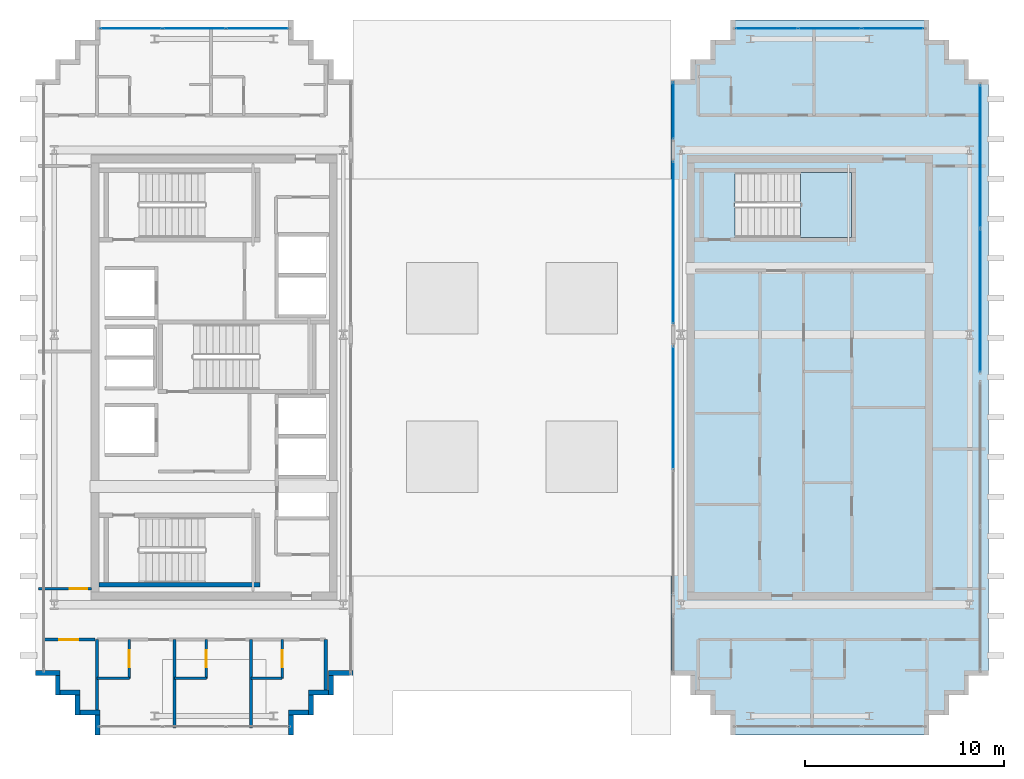
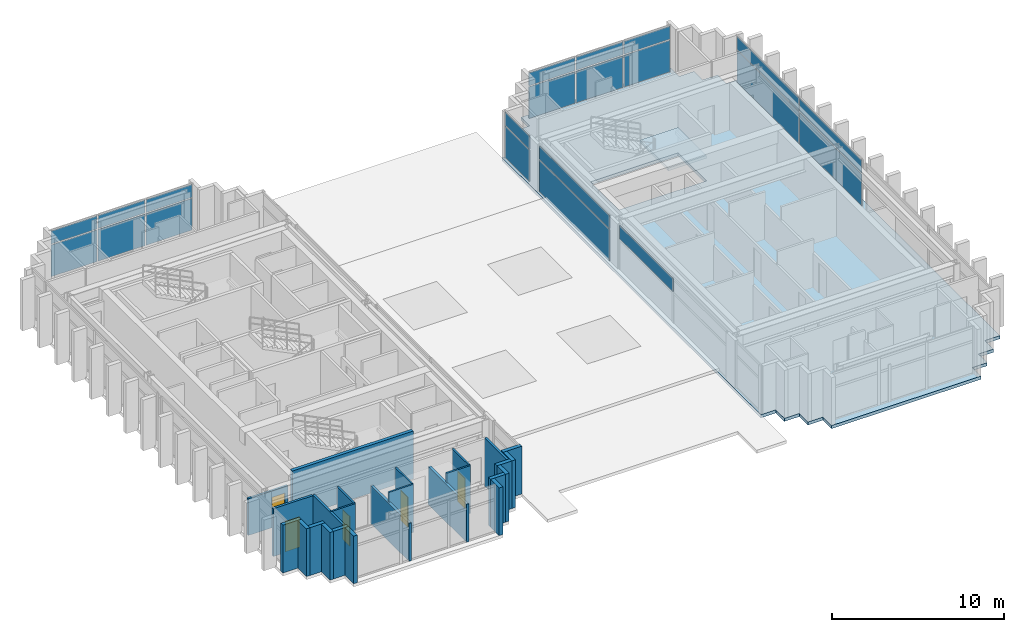
# One storey, part 19 of 25: 25 walls, 21 plates, 5 doors, 2 slabs, 5 openings, 7 elements without a shape of their own.
"""IFC4 building model written with IfcOpenShell, lengths in metres."""

import ifcopenshell
import ifcopenshell.guid

model = None  # the IFC model being written
_history = None  # IfcOwnerHistory: only IFC2X3 demands one
_inside = {}  # id of a spatial element -> (the spatial element, [elements in it])
_under = {}  # id of a project, library or spatial element -> (it, [spatial elements below it])
_declared = {}  # id of a project -> (the project, [libraries it declares])
_typed = {}  # id of a type object -> (the type object, [elements of that type])
_made_of = {}  # id of a material, layer set ... -> (it, [elements and type objects made of it])


def new_model(schema):
    """Start an empty IFC model of exactly this schema.

    Asked for "IFC4X3", IfcOpenShell would pick the latest addendum, in which some entities
    have other attributes; the version numbers below select the first issue.
    IFC2X3 requires an IfcOwnerHistory on every rooted entity: one is made here for all.
    """
    global model, _history
    if schema == "IFC4X3":
        model = ifcopenshell.file(schema_version=(4, 3, 0, 0))
    else:
        model = ifcopenshell.file(schema=schema)
    _inside.clear()
    _under.clear()
    _declared.clear()
    _typed.clear()
    _made_of.clear()
    _history = None
    if model.schema == "IFC2X3":
        org = make("IfcOrganization", Name="unknown")
        user = make(
            "IfcPersonAndOrganization",
            ThePerson=make("IfcPerson", FamilyName="unknown"),
            TheOrganization=org,
        )
        app = make(
            "IfcApplication",
            ApplicationDeveloper=org,
            Version="unknown",
            ApplicationFullName="unknown",
            ApplicationIdentifier="unknown",
        )
        _history = make(
            "IfcOwnerHistory",
            OwningUser=user,
            OwningApplication=app,
            ChangeAction="ADDED",
            CreationDate=0,
        )
    return model


def make(cls, **values):
    """One entity of the class cls with the attributes given. An attribute that is None is left unset."""
    return model.create_entity(
        cls, **{name: value for name, value in values.items() if value is not None}
    )


def rooted(cls, **values):
    """An entity with a GlobalId (a new one), such as an element, a storey or a relation."""
    return make(cls, GlobalId=ifcopenshell.guid.new(), OwnerHistory=_history, **values)


def si_unit(unit_type, name, prefix=None):
    """IfcSIUnit, for example si_unit("LENGTHUNIT", "METRE", prefix="MILLI")."""
    return make("IfcSIUnit", UnitType=unit_type, Prefix=prefix, Name=name)


def assignment(units):
    """IfcUnitAssignment: the units of a project."""
    return None if units is None else make("IfcUnitAssignment", Units=units)


def point(xyz):
    """IfcCartesianPoint."""
    return None if xyz is None else make("IfcCartesianPoint", Coordinates=xyz)


def direction(xyz):
    """IfcDirection."""
    return None if xyz is None else make("IfcDirection", DirectionRatios=xyz)


def frame(location, z_axis=None, x_axis=None):
    """IfcAxis2Placement3D, a coordinate frame: its origin and axes. An axis left out is left unset."""
    return make(
        "IfcAxis2Placement3D",
        Location=point(location),
        Axis=direction(z_axis),
        RefDirection=direction(x_axis),
    )


def frame_2d(location, x_axis=None):
    """IfcAxis2Placement2D, a coordinate frame in the plane: its origin and x axis."""
    return make(
        "IfcAxis2Placement2D", Location=point(location), RefDirection=direction(x_axis)
    )


def origin():
    """The frame at (0, 0, 0) with its axes left unset."""
    return frame((0.0, 0.0, 0.0))


def origin_2d():
    """The frame at (0, 0) in the plane with its x axis left unset."""
    return frame_2d((0.0, 0.0))


def place(relative_to, where):
    """IfcLocalPlacement: puts the frame where relative to a parent placement (None: the world)."""
    return make(
        "IfcLocalPlacement", PlacementRelTo=relative_to, RelativePlacement=where
    )


def context(
    kind, dimensions, precision=None, world=None, true_north=None, identifier=None
):
    """IfcGeometricRepresentationContext, for example the 3D "Model" context."""
    return make(
        "IfcGeometricRepresentationContext",
        ContextIdentifier=identifier,
        ContextType=kind,
        CoordinateSpaceDimension=dimensions,
        Precision=precision,
        WorldCoordinateSystem=world,
        TrueNorth=true_north,
    )


def subcontext(parent, identifier, kind, view, scale=None):
    """IfcGeometricRepresentationSubContext, for example "Body" below "Model"."""
    return make(
        "IfcGeometricRepresentationSubContext",
        ContextIdentifier=identifier,
        ContextType=kind,
        ParentContext=parent,
        TargetScale=scale,
        TargetView=view,
    )


def project(units=None, contexts=None):
    """IfcProject with its units and contexts."""
    return rooted(
        "IfcProject",
        Name="project",
        RepresentationContexts=contexts,
        UnitsInContext=assignment(units),
    )


def spatial(cls, under=None, at=None, **own):
    """A site, building, storey or space (cls), placed at a placement, below another one or the project."""
    s = rooted(cls, ObjectPlacement=at, **own)
    if under is not None:
        _under.setdefault(under.id(), (under, []))[1].append(s)
    return s


def polyline(points):
    """IfcPolyline through the points."""
    return make("IfcPolyline", Points=[point(p) for p in points])


def profile(cls, at=None, kind="AREA", **sizes):
    """A parametric profile (cls). Its sizes go by their IFC names, for example OverallWidth=200.0."""
    return make(cls, ProfileType=kind, Position=at, **sizes)


def rectangle(**sizes):
    """IfcRectangleProfileDef."""
    return profile("IfcRectangleProfileDef", **sizes)


def outline(outer, holes=None, kind="AREA"):
    """IfcArbitraryClosedProfileDef: a profile drawn as a closed curve; with holes, ...WithVoids."""
    if holes is None:
        return make("IfcArbitraryClosedProfileDef", ProfileType=kind, OuterCurve=outer)
    return make(
        "IfcArbitraryProfileDefWithVoids",
        ProfileType=kind,
        OuterCurve=outer,
        InnerCurves=holes,
    )


def extrude(swept, where, along, depth):
    """IfcExtrudedAreaSolid: the profile swept, set in the frame where, extruded along a direction by depth."""
    return make(
        "IfcExtrudedAreaSolid",
        SweptArea=swept,
        Position=where,
        ExtrudedDirection=direction(along),
        Depth=depth,
    )


def shape(context_of_items, identifier, shape_type, items):
    """IfcShapeRepresentation: the items that make up one representation, for example the "Body"."""
    return make(
        "IfcShapeRepresentation",
        ContextOfItems=context_of_items,
        RepresentationIdentifier=identifier,
        RepresentationType=shape_type,
        Items=items,
    )


def source(mapping_origin, context_of_items, identifier, shape_type, items):
    """IfcRepresentationMap: a shape defined once, which mapped items show again and again."""
    return make(
        "IfcRepresentationMap",
        MappingOrigin=mapping_origin,
        MappedRepresentation=shape(context_of_items, identifier, shape_type, items),
    )


def transform(
    local_origin,
    x_axis=None,
    y_axis=None,
    z_axis=None,
    scale=None,
    scale2=None,
    scale3=None,
    uniform=True,
):
    """IfcCartesianTransformationOperator3D, or its non-uniform kind. x_axis, y_axis, z_axis: its Axis1, 2, 3."""
    if uniform:
        return make(
            "IfcCartesianTransformationOperator3D",
            Axis1=direction(x_axis),
            Axis2=direction(y_axis),
            LocalOrigin=point(local_origin),
            Scale=scale,
            Axis3=direction(z_axis),
        )
    return make(
        "IfcCartesianTransformationOperator3DnonUniform",
        Axis1=direction(x_axis),
        Axis2=direction(y_axis),
        LocalOrigin=point(local_origin),
        Scale=scale,
        Axis3=direction(z_axis),
        Scale2=scale2,
        Scale3=scale3,
    )


def mapped(mapping_source, mapping_target):
    """IfcMappedItem: shows the shape of a source again, moved by a transform."""
    return make(
        "IfcMappedItem", MappingSource=mapping_source, MappingTarget=mapping_target
    )


def material(Name=None, Category=None):
    """IfcMaterial."""
    return make("IfcMaterial", Name=Name, Category=Category)


def layer(
    of_material, thickness, ventilated=None, Name=None, Category=None, Priority=None
):
    """IfcMaterialLayer: one layer of a wall or slab, of a material (None: an air gap)."""
    return make(
        "IfcMaterialLayer",
        Material=of_material,
        LayerThickness=thickness,
        IsVentilated=ventilated,
        Name=Name,
        Category=Category,
        Priority=Priority,
    )


def layer_set(layers, Name=None):
    """IfcMaterialLayerSet."""
    return make("IfcMaterialLayerSet", MaterialLayers=layers, LayerSetName=Name)


def made_of(thing, what):
    """Note that an element or type object is made of a material, layer set ...; save() writes the relation."""
    if what is not None:
        _made_of.setdefault(what.id(), (what, []))[1].append(thing)
    return thing


def type_object(cls, material=None, **own):
    """A type object (cls), such as IfcWallType, which elements share."""
    return made_of(rooted(cls, **own), material)


def element(
    cls,
    number,
    at=None,
    inside=None,
    cuts=None,
    type_object=None,
    material=None,
    context=None,
    identifier="Body",
    shape_type=None,
    held_by="IfcProductDefinitionShape",
    body=None,
    shapes=None,
    **own,
):
    """One element of the class cls, such as IfcWall. Its Tag is "e" and its number.

    at: its placement. inside: the storey or other place that contains it. cuts: it is an
    opening in that element (IfcRelVoidsElement). A single representation is given by context,
    identifier, shape_type and body (its items); several are given by shapes. held_by: the class
    of the entity that holds the representations. save() writes the other relations.
    """
    e = rooted(cls, Tag="e%d" % number, ObjectPlacement=at, **own)
    if body is not None:
        shapes = [shape(context, identifier, shape_type, body)]
    if shapes is not None:
        e.Representation = make(held_by, Representations=shapes)
    if inside is not None:
        _inside.setdefault(inside.id(), (inside, []))[1].append(e)
    if cuts is not None:
        rooted(
            "IfcRelVoidsElement", RelatingBuildingElement=cuts, RelatedOpeningElement=e
        )
    if type_object is not None:
        _typed.setdefault(type_object.id(), (type_object, []))[1].append(e)
    return made_of(e, material)


def fill(opening, filler):
    """IfcRelFillsElement: the door or window that sits in an opening."""
    return rooted(
        "IfcRelFillsElement",
        RelatingOpeningElement=opening,
        RelatedBuildingElement=filler,
    )


def aggregate(whole, parts):
    """IfcRelAggregates: a whole, such as a stair, and the parts it consists of."""
    return rooted("IfcRelAggregates", RelatingObject=whole, RelatedObjects=parts)


def save(model, path):
    """Write the relations noted so far, then the file.

    IfcRelAggregates (storeys below a building ...), IfcRelContainedInSpatialStructure (elements
    in a storey), IfcRelDefinesByType, IfcRelAssociatesMaterial and IfcRelDeclares: one each for
    every whole, place, type object, material and project.
    """
    for whole, parts in _under.values():
        aggregate(whole, parts)
    for where, things in _inside.values():
        rooted(
            "IfcRelContainedInSpatialStructure",
            RelatedElements=things,
            RelatingStructure=where,
        )
    for kind, things in _typed.values():
        rooted("IfcRelDefinesByType", RelatedObjects=things, RelatingType=kind)
    for what, things in _made_of.values():
        rooted("IfcRelAssociatesMaterial", RelatedObjects=things, RelatingMaterial=what)
    for by, libraries in _declared.values():
        rooted("IfcRelDeclares", RelatingContext=by, RelatedDefinitions=libraries)
    model.write(path)


model = new_model("IFC4")

# Units and contexts
model_context = context("Model", 3, precision=1e-05, world=origin(), true_north=direction((0.0, 1.0)))
body_context = subcontext(model_context, "Body", "Model", "MODEL_VIEW")
ifc_project = project(units=[si_unit("LENGTHUNIT", "METRE"), si_unit("AREAUNIT", "SQUARE_METRE"), si_unit("VOLUMEUNIT", "CUBIC_METRE"), si_unit("PLANEANGLEUNIT", "RADIAN"), si_unit("MASSUNIT", "GRAM", prefix="KILO")], contexts=[model_context])

# Site, building, storey
site_placement = place(None, origin())
site = spatial("IfcSite", under=ifc_project, at=site_placement, CompositionType="ELEMENT")
building_placement = place(site_placement, origin())
building = spatial("IfcBuilding", under=site, at=building_placement, Name="Ocotamira Hotel", CompositionType="ELEMENT")
storey_placement = place(building_placement, frame((0.0, 0.0, 250.800048828125)))
storey = spatial("IfcBuildingStorey", under=building, at=storey_placement, Name="L63", CompositionType="ELEMENT", Elevation=250.800048828125)

# Stair, slab
ifc_material_1 = material(Name="Concrete C40/50", Category="concrete")
stair_type = type_object("IfcStairType", Name="ST-CORE-1560", PredefinedType="HALF_TURN_STAIR", material=ifc_material_1)
stair_placement = place(storey_placement, origin())
stair = element("IfcStair", 1, at=stair_placement, inside=storey, type_object=stair_type, Name="L63 Exit Stair ST-4", PredefinedType="HALF_TURN_STAIR")
ifc_layer_1 = layer(ifc_material_1, 0.199951171875)
ifc_layer_set_1 = layer_set([ifc_layer_1], Name="Concrete C40/50")
slab_type_1 = type_object("IfcSlabType", Name="SLB-LAND-200", PredefinedType="LANDING", material=ifc_layer_set_1)
slab_1_placement = place(storey_placement, frame((0.0, 0.0, 1.599853515625)))
slab_1 = element("IfcSlab", 2, at=slab_1_placement, type_object=slab_type_1, Name="ST-4 landing 1", PredefinedType="LANDING", context=body_context, shape_type="SweptSolid", body=[
    extrude(outline(polyline([(46.530029296875, 33.050048828125), (49.090087890625, 33.050048828125), (49.090087890625, 36.330078125), (46.530029296875, 36.330078125), (46.530029296875, 33.050048828125)])), origin(), (0.0, 0.0, 1.0), 0.2001953125),
])
aggregate(stair, [slab_1])

# Slab
ifc_layer_2 = layer(ifc_material_1, 0.219970703125)
ifc_layer_set_2 = layer_set([ifc_layer_2], Name="Concrete C40/50")
slab_type_2 = type_object("IfcSlabType", Name="SLB-UPP-220", PredefinedType="FLOOR", material=ifc_layer_set_2)
slab_2_placement = place(storey_placement, frame((0.0, 0.0, -0.219970703125)))
element("IfcSlab", 3, at=slab_2_placement, inside=storey, type_object=slab_type_2, Name="L63 Structural Floor Slab-P2", PredefinedType="FLOOR", context=body_context, shape_type="SweptSolid", body=[
    extrude(outline(polyline([(43.0, 8.0), (53.0, 8.0), (53.0, 9.0), (54.0, 9.0), (54.0, 10.0), (55.0, 10.0), (55.0, 11.0), (56.0, 11.0), (56.0, 41.0), (55.0, 41.0), (55.0, 42.0), (54.0, 42.0), (54.0, 43.0), (53.0, 43.0), (53.0, 44.0), (43.0, 44.0), (43.0, 43.0), (42.0, 43.0), (42.0, 42.0), (41.0, 42.0), (41.0, 41.0), (40.0, 41.0), (40.0, 11.0), (41.0, 11.0), (41.0, 10.0), (42.0, 10.0), (42.0, 9.0), (43.0, 9.0), (43.0, 8.0)]), holes=[polyline([(43.22998046875, 33.050048828125), (49.090087890625, 33.050048828125), (49.090087890625, 36.330078125), (43.22998046875, 36.330078125), (43.22998046875, 33.050048828125)])]), origin(), (0.0, 0.0, 1.0), 0.219970703125),
])

# Curtain wall, plates
ifc_material_2 = material(Name="Anodised pale-metal aluminium and solar glass", Category="aluminium")
ifc_layer_3 = layer(ifc_material_2, 0.2099609375)
ifc_layer_set_3 = layer_set([ifc_layer_3], Name="Anodised pale-metal aluminium and solar glass")
curtain_wall_type = type_object("IfcCurtainWallType", Name="CW-SYS7-PEAK", PredefinedType="NOTDEFINED", material=ifc_layer_set_3)
curtain_wall_1_placement = place(storey_placement, origin())
curtain_wall_1 = element("IfcCurtainWall", 4, at=curtain_wall_1_placement, inside=storey, type_object=curtain_wall_type, Name="L63 Curtain Wall CW-7 CW-L63-WN", PredefinedType="NOTDEFINED")
ifc_material_3 = material(Name="Double-silver low-E insulated solar glass", Category="glass")
ifc_layer_4 = layer(ifc_material_3, 0.031982421875)
ifc_layer_set_4 = layer_set([ifc_layer_4], Name="Double-silver low-E insulated solar glass")
plate_type = type_object("IfcPlateType", Name="CWP-VISION-32", PredefinedType="CURTAIN_PANEL", material=ifc_layer_set_4)
shared_shape_1 = source(origin(), body_context, "Body", "SweptSolid", [
    extrude(rectangle(XDim=3.080078125, YDim=0.031982421875, at=origin_2d()), origin(), (0.0, 0.0, 1.0), 2.237548828125),
])
plate_1_placement = place(storey_placement, frame((12.820068359375, 43.580078125, 0.07470703125), z_axis=(0.0, 0.0, 1.0), x_axis=(1.0, 0.0, 0.0)))
plate_1 = element("IfcPlate", 5, at=plate_1_placement, type_object=plate_type, Name="CW-7 panel 1.1", PredefinedType="CURTAIN_PANEL", context=body_context, shape_type="MappedRepresentation", body=[
    mapped(shared_shape_1, transform((0.0, 0.0, 0.0), scale=1.0)),
])
plate_2_placement = place(storey_placement, frame((19.179931640625, 43.580078125, 0.07470703125), z_axis=(0.0, 0.0, 1.0), x_axis=(1.0, 0.0, 0.0)))
plate_2 = element("IfcPlate", 6, at=plate_2_placement, type_object=plate_type, Name="CW-7 panel 3.1", PredefinedType="CURTAIN_PANEL", context=body_context, shape_type="MappedRepresentation", body=[
    mapped(shared_shape_1, transform((0.0, 0.0, 0.0), scale=1.0)),
])

curtain_wall_2_placement = place(storey_placement, origin())
curtain_wall_2 = element("IfcCurtainWall", 7, at=curtain_wall_2_placement, inside=storey, type_object=curtain_wall_type, Name="L63 Curtain Wall CW-7 CW-L63-EN", PredefinedType="NOTDEFINED")
plate_3_placement = place(storey_placement, frame((44.820068359375, 43.580078125, 0.07470703125), z_axis=(0.0, 0.0, 1.0), x_axis=(1.0, 0.0, 0.0)))
plate_3 = element("IfcPlate", 8, at=plate_3_placement, type_object=plate_type, Name="CW-7 panel 1.1", PredefinedType="CURTAIN_PANEL", context=body_context, shape_type="MappedRepresentation", body=[
    mapped(shared_shape_1, transform((0.0, 0.0, 0.0), scale=1.0)),
])
plate_4_placement = place(storey_placement, frame((51.179931640625, 43.580078125, 0.07470703125), z_axis=(0.0, 0.0, 1.0), x_axis=(1.0, 0.0, 0.0)))
plate_4 = element("IfcPlate", 9, at=plate_4_placement, type_object=plate_type, Name="CW-7 panel 3.1", PredefinedType="CURTAIN_PANEL", context=body_context, shape_type="MappedRepresentation", body=[
    mapped(shared_shape_1, transform((0.0, 0.0, 0.0), scale=1.0)),
])

# Plate
shared_shape_2 = source(origin(), body_context, "Body", "SweptSolid", [
    extrude(rectangle(XDim=3.080078125, YDim=0.031982421875, at=origin_2d()), origin(), (0.0, 0.0, 1.0), 0.91748046875),
])
plate_5_placement = place(storey_placement, frame((12.820068359375, 43.580078125, 2.387451171875), z_axis=(0.0, 0.0, 1.0), x_axis=(1.0, 0.0, 0.0)))
plate_5 = element("IfcPlate", 10, at=plate_5_placement, type_object=plate_type, Name="CW-7 panel 1.2", PredefinedType="CURTAIN_PANEL", context=body_context, shape_type="MappedRepresentation", body=[
    mapped(shared_shape_2, transform((0.0, 0.0, 0.0), scale=1.0)),
])

plate_6_placement = place(storey_placement, frame((19.179931640625, 43.580078125, 2.387451171875), z_axis=(0.0, 0.0, 1.0), x_axis=(1.0, 0.0, 0.0)))
plate_6 = element("IfcPlate", 11, at=plate_6_placement, type_object=plate_type, Name="CW-7 panel 3.2", PredefinedType="CURTAIN_PANEL", context=body_context, shape_type="MappedRepresentation", body=[
    mapped(shared_shape_2, transform((0.0, 0.0, 0.0), scale=1.0)),
])

plate_7_placement = place(storey_placement, frame((44.820068359375, 43.580078125, 2.387451171875), z_axis=(0.0, 0.0, 1.0), x_axis=(1.0, 0.0, 0.0)))
plate_7 = element("IfcPlate", 12, at=plate_7_placement, type_object=plate_type, Name="CW-7 panel 1.2", PredefinedType="CURTAIN_PANEL", context=body_context, shape_type="MappedRepresentation", body=[
    mapped(shared_shape_2, transform((0.0, 0.0, 0.0), scale=1.0)),
])

plate_8_placement = place(storey_placement, frame((51.179931640625, 43.580078125, 2.387451171875), z_axis=(0.0, 0.0, 1.0), x_axis=(1.0, 0.0, 0.0)))
plate_8 = element("IfcPlate", 13, at=plate_8_placement, type_object=plate_type, Name="CW-7 panel 3.2", PredefinedType="CURTAIN_PANEL", context=body_context, shape_type="MappedRepresentation", body=[
    mapped(shared_shape_2, transform((0.0, 0.0, 0.0), scale=1.0)),
])

shared_shape_3 = source(origin(), body_context, "Body", "SweptSolid", [
    extrude(rectangle(XDim=3.1201171875, YDim=0.031982421875, at=origin_2d()), origin(), (0.0, 0.0, 1.0), 2.237548828125),
])
plate_9_placement = place(storey_placement, frame((16.0, 43.580078125, 0.07470703125), z_axis=(0.0, 0.0, 1.0), x_axis=(1.0, 0.0, 0.0)))
plate_9 = element("IfcPlate", 14, at=plate_9_placement, type_object=plate_type, Name="CW-7 panel 2.1", PredefinedType="CURTAIN_PANEL", context=body_context, shape_type="MappedRepresentation", body=[
    mapped(shared_shape_3, transform((0.0, 0.0, 0.0), scale=1.0)),
])

plate_10_placement = place(storey_placement, frame((48.0, 43.580078125, 0.07470703125), z_axis=(0.0, 0.0, 1.0), x_axis=(1.0, 0.0, 0.0)))
plate_10 = element("IfcPlate", 15, at=plate_10_placement, type_object=plate_type, Name="CW-7 panel 2.1", PredefinedType="CURTAIN_PANEL", context=body_context, shape_type="MappedRepresentation", body=[
    mapped(shared_shape_3, transform((0.0, 0.0, 0.0), scale=1.0)),
])

shared_shape_4 = source(origin(), body_context, "Body", "SweptSolid", [
    extrude(rectangle(XDim=3.1201171875, YDim=0.031982421875, at=origin_2d()), origin(), (0.0, 0.0, 1.0), 0.91748046875),
])
plate_11_placement = place(storey_placement, frame((16.0, 43.580078125, 2.387451171875), z_axis=(0.0, 0.0, 1.0), x_axis=(1.0, 0.0, 0.0)))
plate_11 = element("IfcPlate", 16, at=plate_11_placement, type_object=plate_type, Name="CW-7 panel 2.2", PredefinedType="CURTAIN_PANEL", context=body_context, shape_type="MappedRepresentation", body=[
    mapped(shared_shape_4, transform((0.0, 0.0, 0.0), scale=1.0)),
])

aggregate(curtain_wall_1, [plate_1, plate_5, plate_9, plate_11, plate_2, plate_6])

plate_12_placement = place(storey_placement, frame((48.0, 43.580078125, 2.387451171875), z_axis=(0.0, 0.0, 1.0), x_axis=(1.0, 0.0, 0.0)))
plate_12 = element("IfcPlate", 17, at=plate_12_placement, type_object=plate_type, Name="CW-7 panel 2.2", PredefinedType="CURTAIN_PANEL", context=body_context, shape_type="MappedRepresentation", body=[
    mapped(shared_shape_4, transform((0.0, 0.0, 0.0), scale=1.0)),
])

aggregate(curtain_wall_2, [plate_3, plate_7, plate_10, plate_12, plate_4, plate_8])

# Curtain wall, plates
curtain_wall_3_placement = place(storey_placement, origin())
curtain_wall_3 = element("IfcCurtainWall", 18, at=curtain_wall_3_placement, inside=storey, type_object=curtain_wall_type, Name="L63 Curtain Wall CW-7 CW-L63-EO2", PredefinedType="NOTDEFINED")
shared_shape_5 = source(origin(), body_context, "Body", "SweptSolid", [
    extrude(rectangle(XDim=7.179931640625, YDim=0.031982421875, at=origin_2d()), origin(), (0.0, 0.0, 1.0), 2.237548828125),
])
plate_13_placement = place(storey_placement, frame((55.580078125, 29.8701171875, 0.07470703125), z_axis=(0.0, 0.0, 1.0), x_axis=(0.0, 1.0, 0.0)))
plate_13 = element("IfcPlate", 19, at=plate_13_placement, type_object=plate_type, Name="CW-7 panel 1.1", PredefinedType="CURTAIN_PANEL", context=body_context, shape_type="MappedRepresentation", body=[
    mapped(shared_shape_5, transform((0.0, 0.0, 0.0), scale=1.0)),
])
plate_14_placement = place(storey_placement, frame((55.580078125, 37.1298828125, 0.07470703125), z_axis=(0.0, 0.0, 1.0), x_axis=(0.0, 1.0, 0.0)))
plate_14 = element("IfcPlate", 20, at=plate_14_placement, type_object=plate_type, Name="CW-7 panel 2.1", PredefinedType="CURTAIN_PANEL", context=body_context, shape_type="MappedRepresentation", body=[
    mapped(shared_shape_5, transform((0.0, 0.0, 0.0), scale=1.0)),
])
shared_shape_6 = source(origin(), body_context, "Body", "SweptSolid", [
    extrude(rectangle(XDim=7.179931640625, YDim=0.031982421875, at=origin_2d()), origin(), (0.0, 0.0, 1.0), 0.91748046875),
])
plate_15_placement = place(storey_placement, frame((55.580078125, 29.8701171875, 2.387451171875), z_axis=(0.0, 0.0, 1.0), x_axis=(0.0, 1.0, 0.0)))
plate_15 = element("IfcPlate", 21, at=plate_15_placement, type_object=plate_type, Name="CW-7 panel 1.2", PredefinedType="CURTAIN_PANEL", context=body_context, shape_type="MappedRepresentation", body=[
    mapped(shared_shape_6, transform((0.0, 0.0, 0.0), scale=1.0)),
])
plate_16_placement = place(storey_placement, frame((55.580078125, 37.1298828125, 2.387451171875), z_axis=(0.0, 0.0, 1.0), x_axis=(0.0, 1.0, 0.0)))
plate_16 = element("IfcPlate", 22, at=plate_16_placement, type_object=plate_type, Name="CW-7 panel 2.2", PredefinedType="CURTAIN_PANEL", context=body_context, shape_type="MappedRepresentation", body=[
    mapped(shared_shape_6, transform((0.0, 0.0, 0.0), scale=1.0)),
])
aggregate(curtain_wall_3, [plate_13, plate_15, plate_14, plate_16])

curtain_wall_4_placement = place(storey_placement, origin())
curtain_wall_4 = element("IfcCurtainWall", 23, at=curtain_wall_4_placement, inside=storey, type_object=curtain_wall_type, Name="L63 Curtain Wall CW-7 CW-L63-EI4", PredefinedType="NOTDEFINED")
shared_shape_7 = source(origin(), body_context, "Body", "SweptSolid", [
    extrude(rectangle(XDim=2.840087890625, YDim=0.031982421875, at=origin_2d()), origin(), (0.0, 0.0, 1.0), 2.237548828125),
])
plate_17_placement = place(storey_placement, frame((40.1201171875, 39.449951171875, 0.07470703125), z_axis=(0.0, 0.0, 1.0), x_axis=(0.0, 1.0, 0.0)))
plate_17 = element("IfcPlate", 24, at=plate_17_placement, type_object=plate_type, Name="CW-7 panel 1.1", PredefinedType="CURTAIN_PANEL", context=body_context, shape_type="MappedRepresentation", body=[
    mapped(shared_shape_7, transform((0.0, 0.0, 0.0), scale=1.0)),
])
shared_shape_8 = source(origin(), body_context, "Body", "SweptSolid", [
    extrude(rectangle(XDim=2.840087890625, YDim=0.031982421875, at=origin_2d()), origin(), (0.0, 0.0, 1.0), 0.91748046875),
])
plate_18_placement = place(storey_placement, frame((40.1201171875, 39.449951171875, 2.387451171875), z_axis=(0.0, 0.0, 1.0), x_axis=(0.0, 1.0, 0.0)))
plate_18 = element("IfcPlate", 25, at=plate_18_placement, type_object=plate_type, Name="CW-7 panel 1.2", PredefinedType="CURTAIN_PANEL", context=body_context, shape_type="MappedRepresentation", body=[
    mapped(shared_shape_8, transform((0.0, 0.0, 0.0), scale=1.0)),
])
aggregate(curtain_wall_4, [plate_17, plate_18])

# Curtain wall, plate
curtain_wall_5_placement = place(storey_placement, origin())
curtain_wall_5 = element("IfcCurtainWall", 26, at=curtain_wall_5_placement, inside=storey, type_object=curtain_wall_type, Name="L63 Curtain Wall CW-7 CW-L63-EI2", PredefinedType="NOTDEFINED")
shared_shape_9 = source(origin(), body_context, "Body", "SweptSolid", [
    extrude(rectangle(XDim=6.179931640625, YDim=0.031982421875, at=origin_2d()), origin(), (0.0, 0.0, 1.0), 0.91748046875),
])
plate_19_placement = place(storey_placement, frame((40.1201171875, 24.47998046875, 2.387451171875), z_axis=(0.0, 0.0, 1.0), x_axis=(0.0, 1.0, 0.0)))
plate_19 = element("IfcPlate", 27, at=plate_19_placement, type_object=plate_type, Name="CW-7 panel 2.2", PredefinedType="CURTAIN_PANEL", context=body_context, shape_type="MappedRepresentation", body=[
    mapped(shared_shape_9, transform((0.0, 0.0, 0.0), scale=1.0)),
])
aggregate(curtain_wall_5, [plate_19])

# Curtain wall, plates
curtain_wall_6_placement = place(storey_placement, origin())
curtain_wall_6 = element("IfcCurtainWall", 28, at=curtain_wall_6_placement, inside=storey, type_object=curtain_wall_type, Name="L63 Curtain Wall CW-7 CW-L63-EI3", PredefinedType="NOTDEFINED")
shared_shape_10 = source(origin(), body_context, "Body", "SweptSolid", [
    extrude(rectangle(XDim=8.139892578125, YDim=0.031982421875, at=origin_2d()), origin(), (0.0, 0.0, 1.0), 2.237548828125),
])
plate_20_placement = place(storey_placement, frame((40.1201171875, 32.800048828125, 0.07470703125), z_axis=(0.0, 0.0, 1.0), x_axis=(0.0, 1.0, 0.0)))
plate_20 = element("IfcPlate", 29, at=plate_20_placement, type_object=plate_type, Name="CW-7 panel 1.1", PredefinedType="CURTAIN_PANEL", context=body_context, shape_type="MappedRepresentation", body=[
    mapped(shared_shape_10, transform((0.0, 0.0, 0.0), scale=1.0)),
])
shared_shape_11 = source(origin(), body_context, "Body", "SweptSolid", [
    extrude(rectangle(XDim=8.139892578125, YDim=0.031982421875, at=origin_2d()), origin(), (0.0, 0.0, 1.0), 0.91748046875),
])
plate_21_placement = place(storey_placement, frame((40.1201171875, 32.800048828125, 2.387451171875), z_axis=(0.0, 0.0, 1.0), x_axis=(0.0, 1.0, 0.0)))
plate_21 = element("IfcPlate", 30, at=plate_21_placement, type_object=plate_type, Name="CW-7 panel 1.2", PredefinedType="CURTAIN_PANEL", context=body_context, shape_type="MappedRepresentation", body=[
    mapped(shared_shape_11, transform((0.0, 0.0, 0.0), scale=1.0)),
])
aggregate(curtain_wall_6, [plate_20, plate_21])

# Walls
ifc_material_4 = material(Name="Precast concrete C45/55", Category="concrete")
ifc_layer_5 = layer(ifc_material_4, 0.25)
ifc_layer_set_5 = layer_set([ifc_layer_5], Name="Precast concrete C45/55")
wall_type_1 = type_object("IfcWallType", Name="WL-EXT-SER-250", PredefinedType="SOLIDWALL", material=ifc_layer_set_5)
for number, where, z_axis, x_axis, name in (
    (31, (20.875, 8.0, 0.0), (0.0, 0.0, 1.0), (0.0, 1.0, 0.0), "L63 -W Serrated Corner Wall 01"),
    (32, (20.75, 9.125, 0.0), (0.0, 0.0, 1.0), (1.0, 0.0, 0.0), "L63 -W Serrated Corner Wall 02"),
    (33, (21.875, 9.0, 0.0), (0.0, 0.0, 1.0), (0.0, 1.0, 0.0), "L63 -W Serrated Corner Wall 03"),
    (34, (21.75, 10.125, 0.0), (0.0, 0.0, 1.0), (1.0, 0.0, 0.0), "L63 -W Serrated Corner Wall 04"),
    (35, (22.875, 10.0, 0.0), (0.0, 0.0, 1.0), (0.0, 1.0, 0.0), "L63 -W Serrated Corner Wall 05"),
):
    element("IfcWall", number, at=place(storey_placement, frame(where, z_axis=z_axis, x_axis=x_axis)), inside=storey, type_object=wall_type_1, Name=name, PredefinedType="SOLIDWALL", context=body_context, shape_type="SweptSolid", body=[
        extrude(rectangle(XDim=1.0, YDim=0.25, at=frame_2d((0.5, 0.0))), origin(), (0.0, 0.0, 1.0), 3.3798828125),
    ])
for number, where, z_axis, x_axis, name in (
    (36, (22.75, 11.125, 0.0), (0.0, 0.0, 1.0), (1.0, 0.0, 0.0), "L63 -W Serrated Corner Wall 06"),
    (37, (8.0, 11.125, 0.0), (0.0, 0.0, 1.0), (1.0, 0.0, 0.0), "L63 -W Serrated Corner Wall 19"),
):
    element("IfcWall", number, at=place(storey_placement, frame(where, z_axis=z_axis, x_axis=x_axis)), inside=storey, type_object=wall_type_1, Name=name, PredefinedType="SOLIDWALL", context=body_context, shape_type="SweptSolid", body=[
        extrude(rectangle(XDim=1.25, YDim=0.25, at=frame_2d((0.625, 0.0))), origin(), (0.0, 0.0, 1.0), 3.3798828125),
    ])
for number, where, z_axis, x_axis, name in (
    (38, (9.125, 11.0, 0.0), (0.0, 0.0, 1.0), (0.0, -1.0, 0.0), "L63 -W Serrated Corner Wall 20"),
    (39, (9.25, 10.125, 0.0), (0.0, 0.0, 1.0), (1.0, 0.0, 0.0), "L63 -W Serrated Corner Wall 21"),
    (40, (10.125, 10.0, 0.0), (0.0, 0.0, 1.0), (0.0, -1.0, 0.0), "L63 -W Serrated Corner Wall 22"),
    (41, (10.25, 9.125, 0.0), (0.0, 0.0, 1.0), (1.0, 0.0, 0.0), "L63 -W Serrated Corner Wall 23"),
    (42, (11.125, 9.0, 0.0), (0.0, 0.0, 1.0), (0.0, -1.0, 0.0), "L63 -W Serrated Corner Wall 24"),
):
    element("IfcWall", number, at=place(storey_placement, frame(where, z_axis=z_axis, x_axis=x_axis)), inside=storey, type_object=wall_type_1, Name=name, PredefinedType="SOLIDWALL", context=body_context, shape_type="SweptSolid", body=[
        extrude(rectangle(XDim=1.0, YDim=0.25, at=frame_2d((0.5, 0.0))), origin(), (0.0, 0.0, 1.0), 3.3798828125),
    ])

# Wall, opening, door
ifc_material_5 = material(Name="Acoustic double-layer fire gypsum board partition", Category="gypsum")
ifc_layer_6 = layer(ifc_material_5, 0.159912109375)
ifc_layer_set_6 = layer_set([ifc_layer_6], Name="Acoustic double-layer fire gypsum board partition")
wall_type_2 = type_object("IfcWallType", Name="WL-FIRE-160", PredefinedType="PARTITIONING", material=ifc_layer_set_6)
wall_1_placement = place(storey_placement, frame((8.35009765625, 12.800048828125, 0.0), z_axis=(0.0, 0.0, 1.0), x_axis=(1.0, 0.0, 0.0)))
wall_1 = element("IfcWall", 43, at=wall_1_placement, inside=storey, type_object=wall_type_2, Name="L63 Interior Wall PW-L63-SPCSW0-CW", PredefinedType="PARTITIONING", context=body_context, shape_type="SweptSolid", body=[
    extrude(rectangle(XDim=2.64990234375, YDim=0.159912109375, at=frame_2d((1.324951171875, 0.0))), origin(), (0.0, 0.0, 1.0), 3.3798828125),
])
opening_1_placement = place(wall_1_placement, frame((0.844970703125, 0.0, 0.0)))
opening_1 = element("IfcOpeningElement", 44, at=opening_1_placement, cuts=wall_1, Name="Opening D-SV4", PredefinedType="OPENING", context=body_context, shape_type="SweptSolid", body=[
    extrude(rectangle(XDim=0.9599609375, YDim=2.14990234375, at=frame_2d((0.47998046875, 1.074951171875))), frame((0.0, 0.08984375, 0.0), z_axis=(0.0, -1.0, 0.0), x_axis=(1.0, 0.0, 0.0)), (0.0, 0.0, 1.0), 0.179931640625),
])
ifc_material_6 = material(Name="Fire-rated accessible walnut salon door", Category="wood")
door_type_1 = type_object("IfcDoorType", Name="DR-SERV-960", OperationType="NOTDEFINED", PredefinedType="DOOR", material=ifc_material_6)
shared_shape_12 = source(origin(), body_context, "Body", "SweptSolid", [
    extrude(rectangle(XDim=0.9599609375, YDim=2.14990234375, at=frame_2d((0.47998046875, 1.074951171875))), frame((0.0, 0.02490234375, 0.0), z_axis=(0.0, -1.0, 0.0), x_axis=(1.0, 0.0, 0.0)), (0.0, 0.0, 1.0), 0.050048828125),
])
door_1_placement = place(opening_1_placement, origin())
door_1 = element("IfcDoor", 45, at=door_1_placement, inside=storey, type_object=door_type_1, Name="L63 Door ID-L63-SPCSW0-CD [ID-L63-SPCSW0-CD]", OperationType="SINGLE_SWING_LEFT", OverallHeight=2.14990234375, OverallWidth=0.9599609375, PredefinedType="DOOR", context=body_context, shape_type="MappedRepresentation", body=[
    mapped(shared_shape_12, transform((0.0, 0.0, 0.0), scale=1.0)),
])
fill(opening_1, door_1)

ifc_material_7 = material(Name="Moisture-resistant en-suite tile and gypsum partition", Category="gypsum")
ifc_layer_7 = layer(ifc_material_7, 0.1201171875)
ifc_layer_set_7 = layer_set([ifc_layer_7], Name="Moisture-resistant en-suite tile and gypsum partition")
wall_type_3 = type_object("IfcWallType", Name="WL-PART-120", PredefinedType="PARTITIONING", material=ifc_layer_set_7)
wall_2_placement = place(storey_placement, frame((12.72998046875, 10.85009765625, 0.0), z_axis=(0.0, 0.0, 1.0), x_axis=(0.0, 1.0, 0.0)))
wall_2 = element("IfcWall", 46, at=wall_2_placement, inside=storey, type_object=wall_type_3, Name="L63 Interior Wall PW-L63-SPW0S-BAE1", PredefinedType="PARTITIONING", context=body_context, shape_type="SweptSolid", body=[
    extrude(rectangle(XDim=1.949951171875, YDim=0.1201171875, at=frame_2d((0.97509765625, 0.0))), origin(), (0.0, 0.0, 1.0), 3.3798828125),
])
opening_2_placement = place(wall_2_placement, frame((0.544921875, 0.0, 0.0)))
opening_2 = element("IfcOpeningElement", 47, at=opening_2_placement, cuts=wall_2, Name="Opening D-BA1", PredefinedType="OPENING", context=body_context, shape_type="SweptSolid", body=[
    extrude(rectangle(XDim=0.860107421875, YDim=2.10009765625, at=frame_2d((0.43017578125, 1.050048828125))), frame((0.0, 0.070068359375, 0.0), z_axis=(0.0, -1.0, 0.0), x_axis=(1.0, 0.0, 0.0)), (0.0, 0.0, 1.0), 0.14013671875),
])
ifc_material_8 = material(Name="Moisture-sealed en-suite timber door", Category="wood")
door_type_2 = type_object("IfcDoorType", Name="DR-BATH-860", OperationType="NOTDEFINED", PredefinedType="DOOR", material=ifc_material_8)
shared_shape_13 = source(origin(), body_context, "Body", "SweptSolid", [
    extrude(rectangle(XDim=0.860107421875, YDim=2.10009765625, at=frame_2d((0.43017578125, 1.050048828125))), frame((0.0, 0.02490234375, 0.0), z_axis=(0.0, -1.0, 0.0), x_axis=(1.0, 0.0, 0.0)), (0.0, 0.0, 1.0), 0.050048828125),
])
door_2_placement = place(opening_2_placement, origin())
door_2 = element("IfcDoor", 48, at=door_2_placement, inside=storey, type_object=door_type_2, Name="L63 Door ID-L63-SPW0S-BAD1 [ID-L63-SPW0S-BAD1]", OperationType="SINGLE_SWING_RIGHT", OverallHeight=2.10009765625, OverallWidth=0.860107421875, PredefinedType="DOOR", context=body_context, shape_type="MappedRepresentation", body=[
    mapped(shared_shape_13, transform((0.0, 0.0, 0.0), scale=1.0)),
])
fill(opening_2, door_2)

# Wall
wall_3_placement = place(storey_placement, frame((11.10009765625, 10.85009765625, 0.0), z_axis=(0.0, 0.0, 1.0), x_axis=(1.0, 0.0, 0.0)))
element("IfcWall", 49, at=wall_3_placement, inside=storey, type_object=wall_type_3, Name="L63 Interior Wall PW-L63-SPW0S-BAS1", PredefinedType="PARTITIONING", context=body_context, shape_type="SweptSolid", body=[
    extrude(rectangle(XDim=1.6298828125, YDim=0.1201171875, at=frame_2d((0.81494140625, 0.0))), origin(), (0.0, 0.0, 1.0), 3.3798828125),
])

# Wall, opening, door
wall_4_placement = place(storey_placement, frame((16.610107421875, 10.85009765625, 0.0), z_axis=(0.0, 0.0, 1.0), x_axis=(0.0, 1.0, 0.0)))
wall_4 = element("IfcWall", 50, at=wall_4_placement, inside=storey, type_object=wall_type_3, Name="L63 Interior Wall PW-L63-SPW0S-BAE2", PredefinedType="PARTITIONING", context=body_context, shape_type="SweptSolid", body=[
    extrude(rectangle(XDim=1.949951171875, YDim=0.1201171875, at=frame_2d((0.97509765625, 0.0))), origin(), (0.0, 0.0, 1.0), 3.3798828125),
])
opening_3_placement = place(wall_4_placement, frame((0.544921875, 0.0, 0.0)))
opening_3 = element("IfcOpeningElement", 51, at=opening_3_placement, cuts=wall_4, Name="Opening D-BA1", PredefinedType="OPENING", context=body_context, shape_type="SweptSolid", body=[
    extrude(rectangle(XDim=0.860107421875, YDim=2.10009765625, at=frame_2d((0.43017578125, 1.050048828125))), frame((0.0, 0.070068359375, 0.0), z_axis=(0.0, -1.0, 0.0), x_axis=(1.0, 0.0, 0.0)), (0.0, 0.0, 1.0), 0.14013671875),
])
door_3_placement = place(opening_3_placement, origin())
door_3 = element("IfcDoor", 52, at=door_3_placement, inside=storey, type_object=door_type_2, Name="L63 Door ID-L63-SPW0S-BAD2 [ID-L63-SPW0S-BAD2]", OperationType="SINGLE_SWING_LEFT", OverallHeight=2.10009765625, OverallWidth=0.860107421875, PredefinedType="DOOR", context=body_context, shape_type="MappedRepresentation", body=[
    mapped(shared_shape_13, transform((0.0, 0.0, 0.0), scale=1.0)),
])
fill(opening_3, door_3)

# Wall
wall_5_placement = place(storey_placement, frame((15.0, 10.85009765625, 0.0), z_axis=(0.0, 0.0, 1.0), x_axis=(1.0, 0.0, 0.0)))
element("IfcWall", 53, at=wall_5_placement, inside=storey, type_object=wall_type_3, Name="L63 Interior Wall PW-L63-SPW0S-BAS2", PredefinedType="PARTITIONING", context=body_context, shape_type="SweptSolid", body=[
    extrude(rectangle(XDim=1.610107421875, YDim=0.1201171875, at=frame_2d((0.80517578125, 0.0))), origin(), (0.0, 0.0, 1.0), 3.3798828125),
])

# Wall, opening, door
wall_6_placement = place(storey_placement, frame((20.429931640625, 10.85009765625, 0.0), z_axis=(0.0, 0.0, 1.0), x_axis=(0.0, 1.0, 0.0)))
wall_6 = element("IfcWall", 54, at=wall_6_placement, inside=storey, type_object=wall_type_3, Name="L63 Interior Wall PW-L63-SPW0S-BAE3", PredefinedType="PARTITIONING", context=body_context, shape_type="SweptSolid", body=[
    extrude(rectangle(XDim=1.949951171875, YDim=0.1201171875, at=frame_2d((0.97509765625, 0.0))), origin(), (0.0, 0.0, 1.0), 3.3798828125),
])
opening_4_placement = place(wall_6_placement, frame((0.544921875, 0.0, 0.0)))
opening_4 = element("IfcOpeningElement", 55, at=opening_4_placement, cuts=wall_6, Name="Opening D-BA1", PredefinedType="OPENING", context=body_context, shape_type="SweptSolid", body=[
    extrude(rectangle(XDim=0.860107421875, YDim=2.10009765625, at=frame_2d((0.43017578125, 1.050048828125))), frame((0.0, 0.070068359375, 0.0), z_axis=(0.0, -1.0, 0.0), x_axis=(1.0, 0.0, 0.0)), (0.0, 0.0, 1.0), 0.14013671875),
])
door_4_placement = place(opening_4_placement, origin())
door_4 = element("IfcDoor", 56, at=door_4_placement, inside=storey, type_object=door_type_2, Name="L63 Door ID-L63-SPW0S-BAD3 [ID-L63-SPW0S-BAD3]", OperationType="SINGLE_SWING_RIGHT", OverallHeight=2.10009765625, OverallWidth=0.860107421875, PredefinedType="DOOR", context=body_context, shape_type="MappedRepresentation", body=[
    mapped(shared_shape_13, transform((0.0, 0.0, 0.0), scale=1.0)),
])
fill(opening_4, door_4)

# Wall
wall_7_placement = place(storey_placement, frame((18.85009765625, 10.85009765625, 0.0), z_axis=(0.0, 0.0, 1.0), x_axis=(1.0, 0.0, 0.0)))
element("IfcWall", 57, at=wall_7_placement, inside=storey, type_object=wall_type_3, Name="L63 Interior Wall PW-L63-SPW0S-BAS3", PredefinedType="PARTITIONING", context=body_context, shape_type="SweptSolid", body=[
    extrude(rectangle(XDim=1.579833984375, YDim=0.1201171875, at=frame_2d((0.7900390625, 0.0))), origin(), (0.0, 0.0, 1.0), 3.3798828125),
])

# Wall, opening, door
ifc_material_9 = material(Name="Acoustic hospitality gypsum board partition", Category="gypsum")
ifc_layer_8 = layer(ifc_material_9, 0.14990234375)
ifc_layer_set_8 = layer_set([ifc_layer_8], Name="Acoustic hospitality gypsum board partition")
wall_type_4 = type_object("IfcWallType", Name="WL-PART-150", PredefinedType="PARTITIONING", material=ifc_layer_set_8)
wall_8_placement = place(storey_placement, frame((8.159912109375, 15.360107421875, 0.0), z_axis=(0.0, 0.0, 1.0), x_axis=(1.0, 0.0, 0.0)))
wall_8 = element("IfcWall", 58, at=wall_8_placement, inside=storey, type_object=wall_type_4, Name="L63 Interior Wall PW-L63-SP0W-WS", PredefinedType="PARTITIONING", context=body_context, shape_type="SweptSolid", body=[
    extrude(rectangle(XDim=2.66015625, YDim=0.14990234375, at=frame_2d((1.330078125, 0.0))), origin(), (0.0, 0.0, 1.0), 2.600830078125),
])
opening_5_placement = place(wall_8_placement, frame((1.580078125, 0.0, 0.0)))
opening_5 = element("IfcOpeningElement", 59, at=opening_5_placement, cuts=wall_8, Name="Opening D-SV2", PredefinedType="OPENING", context=body_context, shape_type="SweptSolid", body=[
    extrude(rectangle(XDim=0.8798828125, YDim=2.14990234375, at=frame_2d((0.43994140625, 1.074951171875))), frame((0.0, 0.0849609375, 0.0), z_axis=(0.0, -1.0, 0.0), x_axis=(1.0, 0.0, 0.0)), (0.0, 0.0, 1.0), 0.169921875),
])
ifc_material_10 = material(Name="Fire-rated painted steel service door", Category="steel")
door_type_3 = type_object("IfcDoorType", Name="DR-SERV-880", OperationType="NOTDEFINED", PredefinedType="DOOR", material=ifc_material_10)
shared_shape_14 = source(origin(), body_context, "Body", "SweptSolid", [
    extrude(rectangle(XDim=0.8798828125, YDim=2.14990234375, at=frame_2d((0.43994140625, 1.074951171875))), frame((0.0, 0.02490234375, 0.0), z_axis=(0.0, -1.0, 0.0), x_axis=(1.0, 0.0, 0.0)), (0.0, 0.0, 1.0), 0.050048828125),
])
door_5_placement = place(opening_5_placement, origin())
door_5 = element("IfcDoor", 60, at=door_5_placement, inside=storey, type_object=door_type_3, Name="L63 Door ID-L63-SP0W-DS [ID-L63-SP0W-DS]", OperationType="SINGLE_SWING_LEFT", OverallHeight=2.14990234375, OverallWidth=0.8798828125, PredefinedType="DOOR", context=body_context, shape_type="MappedRepresentation", body=[
    mapped(shared_shape_14, transform((0.0, 0.0, 0.0), scale=1.0)),
])
fill(opening_5, door_5)

# Walls
ifc_material_11 = material(Name="Acoustic double-stud hospitality gypsum partition", Category="gypsum")
ifc_layer_9 = layer(ifc_material_11, 0.159912109375)
ifc_layer_set_9 = layer_set([ifc_layer_9], Name="Acoustic double-stud hospitality gypsum partition")
wall_type_5 = type_object("IfcWallType", Name="WL-PART-160", PredefinedType="PARTITIONING", material=ifc_layer_set_9)
wall_9_placement = place(storey_placement, frame((11.10009765625, 9.260009765625, 0.0), z_axis=(0.0, 0.0, 1.0), x_axis=(0.0, 1.0, 0.0)))
element("IfcWall", 61, at=wall_9_placement, inside=storey, type_object=wall_type_5, Name="L63 Interior Wall PW-L63-SPW0S-PW0", PredefinedType="PARTITIONING", context=body_context, shape_type="SweptSolid", body=[
    extrude(rectangle(XDim=3.5400390625, YDim=0.159912109375, at=frame_2d((1.77001953125, 0.0))), origin(), (0.0, 0.0, 1.0), 3.3798828125),
])
wall_10_placement = place(storey_placement, frame((22.6201171875, 10.260009765625, 0.0), z_axis=(0.0, 0.0, 1.0), x_axis=(0.0, 1.0, 0.0)))
element("IfcWall", 62, at=wall_10_placement, inside=storey, type_object=wall_type_5, Name="L63 Interior Wall PW-L63-SPW0S-PWEND", PredefinedType="PARTITIONING", context=body_context, shape_type="SweptSolid", body=[
    extrude(rectangle(XDim=2.5400390625, YDim=0.159912109375, at=frame_2d((1.27001953125, 0.0))), origin(), (0.0, 0.0, 1.0), 3.3798828125),
])
for number, where, z_axis, x_axis, name in (
    (63, (15.0, 8.360107421875, 0.0), (0.0, 0.0, 1.0), (0.0, 1.0, 0.0), "L63 Interior Wall PW-L63-SPW0S-PW1"),
    (64, (18.85009765625, 8.360107421875, 0.0), (0.0, 0.0, 1.0), (0.0, 1.0, 0.0), "L63 Interior Wall PW-L63-SPW0S-PW2"),
):
    element("IfcWall", number, at=place(storey_placement, frame(where, z_axis=z_axis, x_axis=x_axis)), inside=storey, type_object=wall_type_5, Name=name, PredefinedType="PARTITIONING", context=body_context, shape_type="SweptSolid", body=[
        extrude(rectangle(XDim=4.43994140625, YDim=0.159912109375, at=frame_2d((2.219970703125, 0.0))), origin(), (0.0, 0.0, 1.0), 2.68701171875),
    ])
ifc_material_12 = material(Name="Concrete C50/60", Category="concrete")
ifc_layer_10 = layer(ifc_material_12, 0.219970703125)
ifc_layer_set_10 = layer_set([ifc_layer_10], Name="Concrete C50/60")
wall_type_6 = type_object("IfcWallType", Name="WL-STAIR-220", PredefinedType="SHEAR", material=ifc_layer_set_10)
wall_11_placement = place(storey_placement, frame((11.199951171875, 15.56005859375, 0.0), z_axis=(0.0, 0.0, 1.0), x_axis=(1.0, 0.0, 0.0)))
element("IfcWall", 65, at=wall_11_placement, inside=storey, type_object=wall_type_6, Name="L63 Stair Shaft Structural Wall ST-1-S", PredefinedType="SHEAR", context=body_context, shape_type="SweptSolid", body=[
    extrude(rectangle(XDim=8.110107421875, YDim=0.219970703125, at=frame_2d((4.05517578125, 0.0))), origin(), (0.0, 0.0, 1.0), 3.39990234375),
])

save(model, "model.ifc")
